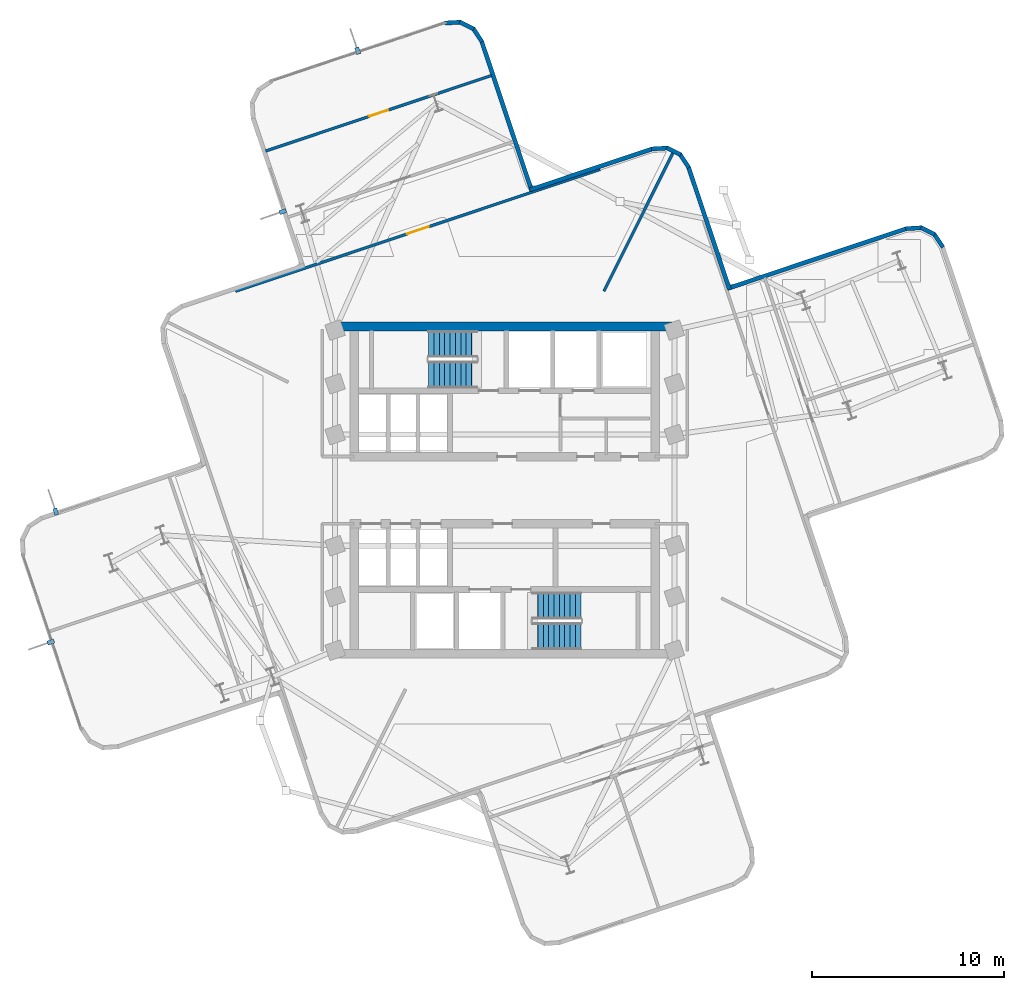
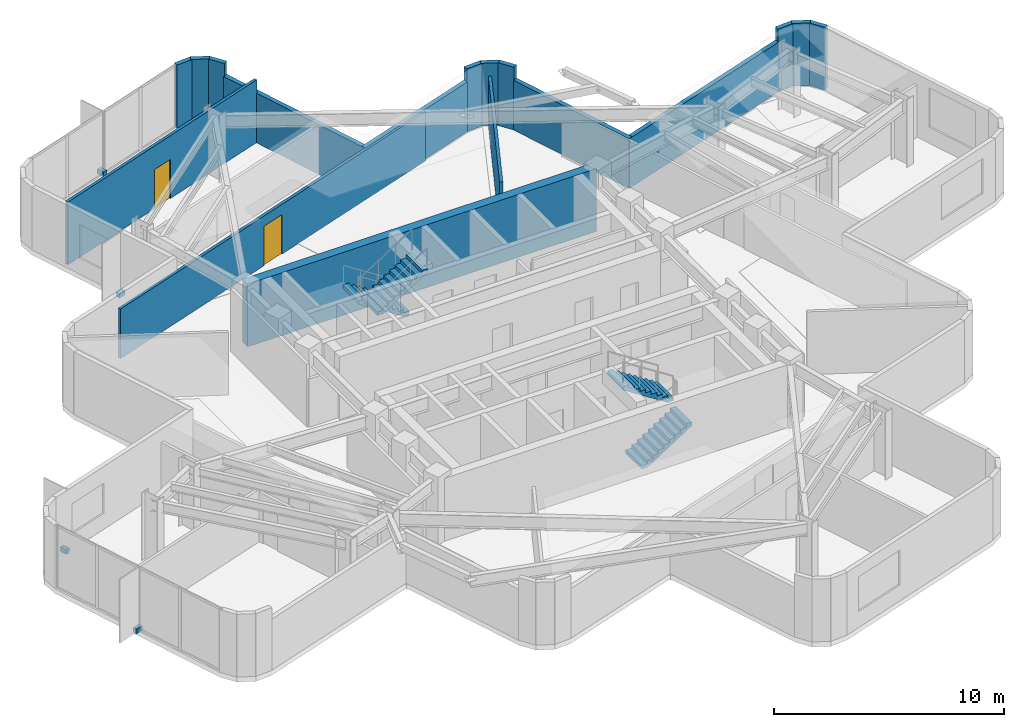
# One storey, part 9 of 12: 17 walls, 4 discrete accessories, 4 stair flights, 2 doors, 2 openings, 2 elements without a shape of their own.
"""IFC4 building model written with IfcOpenShell, lengths in metres."""

from ifc_helpers import new_model, si_unit, direction, frame, frame_2d, origin, origin_2d, place, context, subcontext, project, spatial, polyline, rectangle, outline, extrude, material, layer, layer_set, type_object, element, fill, aggregate, save


model = new_model("IFC4")

# Units and contexts
model_context = context("Model", 3, precision=1e-05, world=origin(), true_north=direction((0.0, 1.0)))
body_context = subcontext(model_context, "Body", "Model", "MODEL_VIEW")
ifc_project = project(units=[si_unit("LENGTHUNIT", "METRE"), si_unit("AREAUNIT", "SQUARE_METRE"), si_unit("VOLUMEUNIT", "CUBIC_METRE"), si_unit("PLANEANGLEUNIT", "RADIAN"), si_unit("MASSUNIT", "GRAM", prefix="KILO")], contexts=[model_context])

# Site, building, storey
site_placement = place(None, origin())
site = spatial("IfcSite", under=ifc_project, at=site_placement, CompositionType="ELEMENT")
building_placement = place(site_placement, origin())
building = spatial("IfcBuilding", under=site, at=building_placement, Name="Solmarez Civic Tower", CompositionType="ELEMENT")
storey_placement = place(building_placement, frame((0.0, 0.0, 163.080078125)))
storey = spatial("IfcBuildingStorey", under=building, at=storey_placement, Name="L43", CompositionType="ELEMENT", Elevation=163.080078125)

# Walls
ifc_material_1 = material(Name="Concrete C50/60", Category="concrete")
ifc_layer_1 = layer(ifc_material_1, 0.449951171875)
ifc_layer_set_1 = layer_set([ifc_layer_1], Name="Concrete C50/60")
wall_type_1 = type_object("IfcWallType", Name="WALL-CORE-450", PredefinedType="SHEAR", material=ifc_layer_set_1)
wall_1_placement = place(storey_placement, frame((-8.780029296875, 8.534912109375, 0.0), z_axis=(0.0, 0.0, 1.0), x_axis=(1.0, 0.0, 0.0)))
element("IfcWall", 1, at=wall_1_placement, inside=storey, type_object=wall_type_1, Name="L43 Split-Core Structural Wall NCW-N-L43", PredefinedType="SHEAR", context=body_context, shape_type="SweptSolid", body=[
    extrude(rectangle(XDim=17.56005859375, YDim=0.449951171875, at=frame_2d((8.780029296875, 0.0))), origin(), (0.0, 0.0, 1.0), 3.33984375),
])
ifc_material_2 = material(Name="Precast concrete C40/50", Category="concrete")
ifc_layer_2 = layer(ifc_material_2, 0.219970703125)
ifc_layer_set_2 = layer_set([ifc_layer_2], Name="Precast concrete C40/50")
wall_type_2 = type_object("IfcWallType", Name="WALL-EXT-220", PredefinedType="SOLIDWALL", material=ifc_layer_set_2)
wall_2_placement = place(storey_placement, frame((-3.131103515625, 24.363037109375, 0.0), z_axis=(0.0, 0.0, 1.0), x_axis=(0.998269325078, 0.05880777677, 0.0)))
element("IfcWall", 2, at=wall_2_placement, inside=storey, type_object=wall_type_2, Name="L43 Exterior Precast Wall 25", PredefinedType="SOLIDWALL", context=body_context, shape_type="SweptSolid", body=[
    extrude(rectangle(XDim=0.83447265625, YDim=0.219970703125, at=frame_2d((0.417236328125, 0.0))), origin(), (0.0, 0.0, 1.0), 3.33984375),
])
wall_3_placement = place(storey_placement, frame((-2.344970703125, 24.422119140625, 0.0), z_axis=(0.0, 0.0, 1.0), x_axis=(0.895022680219, -0.446020629449, 0.0)))
element("IfcWall", 3, at=wall_3_placement, inside=storey, type_object=wall_type_2, Name="L43 Exterior Precast Wall 26", PredefinedType="SOLIDWALL", context=body_context, shape_type="SweptSolid", body=[
    extrude(rectangle(XDim=0.81884765625, YDim=0.219970703125, at=frame_2d((0.409423828125, 0.0))), origin(), (0.0, 0.0, 1.0), 3.33984375),
])
wall_4_placement = place(storey_placement, frame((-1.64794921875, 24.089111328125, 0.0), z_axis=(0.0, 0.0, 1.0), x_axis=(0.551319103184, -0.834294460286, 0.0)))
element("IfcWall", 4, at=wall_4_placement, inside=storey, type_object=wall_type_2, Name="L43 Exterior Precast Wall 27", PredefinedType="SOLIDWALL", context=body_context, shape_type="SweptSolid", body=[
    extrude(rectangle(XDim=0.834228515625, YDim=0.219970703125, at=frame_2d((0.4169921875, 0.0))), origin(), (0.0, 0.0, 1.0), 3.33984375),
])
wall_5_placement = place(storey_placement, frame((-1.2099609375, 23.43798828125, 0.0), z_axis=(0.0, 0.0, 1.0), x_axis=(0.317371670522, -0.948301229963, 0.0)))
element("IfcWall", 5, at=wall_5_placement, inside=storey, type_object=wall_type_2, Name="L43 Exterior Precast Wall 28", PredefinedType="SOLIDWALL", context=body_context, shape_type="SweptSolid", body=[
    extrude(rectangle(XDim=8.258056640625, YDim=0.219970703125, at=frame_2d((4.12890625, 0.0))), origin(), (0.0, 0.0, 1.0), 2.64404296875),
])
wall_6_placement = place(storey_placement, frame((1.300048828125, 15.662109375, 0.0), z_axis=(0.0, 0.0, 1.0), x_axis=(0.948350412494, 0.317224676093, 0.0)))
element("IfcWall", 6, at=wall_6_placement, inside=storey, type_object=wall_type_2, Name="L43 Exterior Precast Wall 31", PredefinedType="SOLIDWALL", context=body_context, shape_type="SweptSolid", body=[
    extrude(rectangle(XDim=6.758056640625, YDim=0.219970703125, at=frame_2d((3.37890625, 0.0))), origin(), (0.0, 0.0, 1.0), 2.64404296875),
])
wall_7_placement = place(storey_placement, frame((7.659912109375, 17.7958984375, 0.0), z_axis=(0.0, 0.0, 1.0), x_axis=(0.998057128569, 0.062305442082, 0.0)))
element("IfcWall", 7, at=wall_7_placement, inside=storey, type_object=wall_type_2, Name="L43 Exterior Precast Wall 32", PredefinedType="SOLIDWALL", context=body_context, shape_type="SweptSolid", body=[
    extrude(rectangle(XDim=0.834716796875, YDim=0.219970703125, at=frame_2d((0.41748046875, 0.0))), origin(), (0.0, 0.0, 1.0), 3.33984375),
])
wall_8_placement = place(storey_placement, frame((8.446044921875, 17.85693359375, 0.0), z_axis=(0.0, 0.0, 1.0), x_axis=(0.894904281631, -0.446258139106, 0.0)))
element("IfcWall", 8, at=wall_8_placement, inside=storey, type_object=wall_type_2, Name="L43 Exterior Precast Wall 33", PredefinedType="SOLIDWALL", context=body_context, shape_type="SweptSolid", body=[
    extrude(rectangle(XDim=0.81787109375, YDim=0.219970703125, at=frame_2d((0.408935546875, 0.0))), origin(), (0.0, 0.0, 1.0), 3.33984375),
])
wall_9_placement = place(storey_placement, frame((9.14208984375, 17.52392578125, 0.0), z_axis=(0.0, 0.0, 1.0), x_axis=(0.552133058206, -0.833756011094, 0.0)))
element("IfcWall", 9, at=wall_9_placement, inside=storey, type_object=wall_type_2, Name="L43 Exterior Precast Wall 34", PredefinedType="SOLIDWALL", context=body_context, shape_type="SweptSolid", body=[
    extrude(rectangle(XDim=0.834716796875, YDim=0.219970703125, at=frame_2d((0.41748046875, 0.0))), origin(), (0.0, 0.0, 1.0), 3.33984375),
])
wall_10_placement = place(storey_placement, frame((9.5810546875, 16.873046875, 0.0), z_axis=(0.0, 0.0, 1.0), x_axis=(0.317387116224, -0.94829606055, 0.0)))
element("IfcWall", 10, at=wall_10_placement, inside=storey, type_object=wall_type_2, Name="L43 Exterior Precast Wall 35", PredefinedType="SOLIDWALL", context=body_context, shape_type="SweptSolid", body=[
    extrude(rectangle(XDim=6.75830078125, YDim=0.219970703125, at=frame_2d((3.379150390625, 0.0))), origin(), (0.0, 0.0, 1.0), 2.64404296875),
])
wall_11_placement = place(storey_placement, frame((11.614990234375, 10.51904296875, 0.0), z_axis=(0.0, 0.0, 1.0), x_axis=(0.948331055834, 0.317282537404, 0.0)))
element("IfcWall", 11, at=wall_11_placement, inside=storey, type_object=wall_type_2, Name="L43 Exterior Precast Wall 38", PredefinedType="SOLIDWALL", context=body_context, shape_type="SweptSolid", body=[
    extrude(rectangle(XDim=9.8583984375, YDim=0.219970703125, at=frame_2d((4.92919921875, 0.0))), origin(), (0.0, 0.0, 1.0), 2.64404296875),
])
wall_12_placement = place(storey_placement, frame((20.9150390625, 13.636962890625, 0.0), z_axis=(0.0, 0.0, 1.0), x_axis=(0.998057128569, 0.062305442082, 0.0)))
element("IfcWall", 12, at=wall_12_placement, inside=storey, type_object=wall_type_2, Name="L43 Exterior Precast Wall 39", PredefinedType="SOLIDWALL", context=body_context, shape_type="SweptSolid", body=[
    extrude(rectangle(XDim=0.834716796875, YDim=0.219970703125, at=frame_2d((0.41748046875, 0.0))), origin(), (0.0, 0.0, 1.0), 3.33984375),
])
wall_13_placement = place(storey_placement, frame((21.700927734375, 13.697998046875, 0.0), z_axis=(0.0, 0.0, 1.0), x_axis=(0.894963703084, -0.446138958356, 0.0)))
element("IfcWall", 13, at=wall_13_placement, inside=storey, type_object=wall_type_2, Name="L43 Exterior Precast Wall 40", PredefinedType="SOLIDWALL", context=body_context, shape_type="SweptSolid", body=[
    extrude(rectangle(XDim=0.818115234375, YDim=0.219970703125, at=frame_2d((0.4091796875, 0.0))), origin(), (0.0, 0.0, 1.0), 3.33984375),
])
wall_14_placement = place(storey_placement, frame((22.39697265625, 13.364990234375, 0.0), z_axis=(0.0, 0.0, 1.0), x_axis=(0.552133058206, -0.833756011094, 0.0)))
element("IfcWall", 14, at=wall_14_placement, inside=storey, type_object=wall_type_2, Name="L43 Exterior Precast Wall 41", PredefinedType="SOLIDWALL", context=body_context, shape_type="SweptSolid", body=[
    extrude(rectangle(XDim=0.834716796875, YDim=0.219970703125, at=frame_2d((0.41748046875, 0.0))), origin(), (0.0, 0.0, 1.0), 3.33984375),
])
ifc_material_3 = material(Name="Gypsum Board Acoustic Steel-Stud Partition", Category="steel")
ifc_layer_3 = layer(ifc_material_3, 0.14501953125)
ifc_layer_set_3 = layer_set([ifc_layer_3], Name="Gypsum Board Acoustic Steel-Stud Partition")
wall_type_3 = type_object("IfcWallType", Name="WALL-INT-PART-150", PredefinedType="PARTITIONING", material=ifc_layer_set_3)
wall_15_placement = place(storey_placement, frame((5.176025390625, 10.3798828125, 0.0), z_axis=(0.0, 0.0, 1.0), x_axis=(0.446173290391, 0.894946587759, 0.0)))
element("IfcWall", 15, at=wall_15_placement, inside=storey, type_object=wall_type_3, Name="L43 Interior Partition PT-L43-QDIV-1", PredefinedType="PARTITIONING", context=body_context, shape_type="SweptSolid", body=[
    extrude(rectangle(XDim=8.075439453125, YDim=0.14501953125, at=frame_2d((4.03759765625, 0.0))), origin(), (0.0, 0.0, 1.0), 2.64404296875),
])

# Wall, opening, door
wall_16_placement = place(storey_placement, frame((-14.037109375, 10.3720703125, 0.0), z_axis=(0.0, 0.0, 1.0), x_axis=(0.94832575435, 0.317298382655, 0.0)))
wall_16 = element("IfcWall", 16, at=wall_16_placement, inside=storey, type_object=wall_type_3, Name="L43 Interior Partition PT-L43-N-ENT", PredefinedType="PARTITIONING", context=body_context, shape_type="SweptSolid", body=[
    extrude(rectangle(XDim=20.040771484375, YDim=0.14501953125, at=frame_2d((10.0205078125, 0.0))), origin(), (0.0, 0.0, 1.0), 2.64404296875),
])
opening_1_placement = place(wall_16_placement, frame((9.419921875, 0.0, 0.0)))
opening_1 = element("IfcOpeningElement", 17, at=opening_1_placement, cuts=wall_16, Name="Opening D-11", PredefinedType="OPENING", context=body_context, shape_type="SweptSolid", body=[
    extrude(rectangle(XDim=1.199951171875, YDim=2.10009765625, at=frame_2d((0.60009765625, 1.050048828125))), frame((0.0, 0.08251953125, 0.0), z_axis=(0.0, -1.0, 0.0), x_axis=(1.0, 0.0, 0.0)), (0.0, 0.0, 1.0), 0.1650390625),
])
ifc_material_4 = material(Name="Glazed-Vision Acoustic Chamber Door", Category="wood")
door_type_1 = type_object("IfcDoorType", Name="DOOR-INT-1200", OperationType="NOTDEFINED", PredefinedType="DOOR", material=ifc_material_4)
door_1_placement = place(opening_1_placement, origin())
door_1 = element("IfcDoor", 18, at=door_1_placement, inside=storey, type_object=door_type_1, Name="L43 Delegation Concierge Room First North Door", OperationType="SINGLE_SWING_LEFT", OverallHeight=2.10009765625, OverallWidth=1.199951171875, PredefinedType="DOOR", context=body_context, shape_type="SweptSolid", body=[
    extrude(rectangle(XDim=1.199951171875, YDim=2.10009765625, at=frame_2d((0.60009765625, 1.050048828125))), frame((0.0, 0.02490234375, 0.0), z_axis=(0.0, -1.0, 0.0), x_axis=(1.0, 0.0, 0.0)), (0.0, 0.0, 1.0), 0.050048828125),
])
fill(opening_1, door_1)

wall_17_placement = place(storey_placement, frame((-12.471923828125, 17.68701171875, 0.0), z_axis=(0.0, 0.0, 1.0), x_axis=(0.948325226172, 0.317299961245, 0.0)))
wall_17 = element("IfcWall", 19, at=wall_17_placement, inside=storey, type_object=wall_type_3, Name="L43 Interior Partition PT-L43-N-SC2", PredefinedType="PARTITIONING", context=body_context, shape_type="SweptSolid", body=[
    extrude(rectangle(XDim=12.43017578125, YDim=0.14501953125, at=frame_2d((6.215087890625, 0.0))), origin(), (0.0, 0.0, 1.0), 3.33984375),
])
opening_2_placement = place(wall_17_placement, frame((5.68994140625, 0.0, 0.0)))
opening_2 = element("IfcOpeningElement", 20, at=opening_2_placement, cuts=wall_17, Name="Opening D-13", PredefinedType="OPENING", context=body_context, shape_type="SweptSolid", body=[
    extrude(rectangle(XDim=1.050048828125, YDim=2.080078125, at=frame_2d((0.52490234375, 1.0400390625))), frame((0.0, 0.08251953125, 0.0), z_axis=(0.0, -1.0, 0.0), x_axis=(1.0, 0.0, 0.0)), (0.0, 0.0, 1.0), 0.1650390625),
])
ifc_material_5 = material(Name="Timber Directorate Office Door", Category="wood")
door_type_2 = type_object("IfcDoorType", Name="DOOR-INT-1050", OperationType="NOTDEFINED", PredefinedType="DOOR", material=ifc_material_5)
door_2_placement = place(opening_2_placement, origin())
door_2 = element("IfcDoor", 21, at=door_2_placement, inside=storey, type_object=door_type_2, Name="L43 Public Reception Room North Door", OperationType="SINGLE_SWING_RIGHT", OverallHeight=2.080078125, OverallWidth=1.050048828125, PredefinedType="DOOR", context=body_context, shape_type="SweptSolid", body=[
    extrude(rectangle(XDim=1.050048828125, YDim=2.080078125, at=frame_2d((0.52490234375, 1.0400390625))), frame((0.0, 0.02490234375, 0.0), z_axis=(0.0, -1.0, 0.0), x_axis=(1.0, 0.0, 0.0)), (0.0, 0.0, 1.0), 0.050048828125),
])
fill(opening_2, door_2)

# Stair, stair flights
stair_type = type_object("IfcStairType", Name="STAIR-DOGLEG-140W-20R-1800", PredefinedType="HALF_TURN_STAIR", material=ifc_material_1)
stair_1_placement = place(storey_placement, origin())
stair_1 = element("IfcStair", 22, at=stair_1_placement, inside=storey, type_object=stair_type, Name="L43 North Core Protected Exit Stair ST-1", PredefinedType="HALF_TURN_STAIR")
stair_flight_type = type_object("IfcStairFlightType", Name="FLIGHT-DOGLEG-140W-10R-1800", PredefinedType="STRAIGHT", material=ifc_material_1)
stair_flight_1_placement = place(storey_placement, frame((-1.449951171875, 7.6201171875, 0.0), z_axis=(0.0, 0.0, 1.0), x_axis=(-1.0, 0.0, 0.0)))
stair_flight_1 = element("IfcStairFlight", 23, at=stair_flight_1_placement, type_object=stair_flight_type, Name="ST-1 flight 1", NumberOfRisers=10, NumberOfTreads=9, PredefinedType="STRAIGHT", RiserHeight=0.18, TreadLength=0.28, context=body_context, shape_type="SweptSolid", body=[
    extrude(outline(polyline([(0.0, 0.0), (0.0, 0.179931640625), (0.280029296875, 0.179931640625), (0.280029296875, 0.360107421875), (0.56005859375, 0.360107421875), (0.56005859375, 0.5400390625), (0.840087890625, 0.5400390625), (0.840087890625, 0.719970703125), (1.1201171875, 0.719970703125), (1.1201171875, 0.89990234375), (1.39990234375, 0.89990234375), (1.39990234375, 1.080078125), (1.679931640625, 1.080078125), (1.679931640625, 1.260009765625), (1.9599609375, 1.260009765625), (1.9599609375, 1.43994140625), (2.239990234375, 1.43994140625), (2.239990234375, 1.6201171875), (2.52001953125, 1.6201171875), (2.52001953125, 1.800048828125), (2.52001953125, 1.429931640625), (0.295654296875, 0.0), (0.0, 0.0)])), frame((0.0, 0.699951171875, 0.0), z_axis=(0.0, -1.0, 0.0), x_axis=(1.0, 0.0, 0.0)), (0.0, 0.0, 1.0), 1.39990234375),
])
stair_flight_2_placement = place(storey_placement, frame((-3.969970703125, 6.02001953125, 1.7998046875), z_axis=(0.0, 0.0, 1.0), x_axis=(1.0, 0.0, 0.0)))
stair_flight_2 = element("IfcStairFlight", 24, at=stair_flight_2_placement, type_object=stair_flight_type, Name="ST-1 flight 2", NumberOfRisers=10, NumberOfTreads=9, PredefinedType="STRAIGHT", RiserHeight=0.18, TreadLength=0.28, context=body_context, shape_type="SweptSolid", body=[
    extrude(outline(polyline([(0.0, 0.0), (0.0, 0.179931640625), (0.280029296875, 0.179931640625), (0.280029296875, 0.360107421875), (0.56005859375, 0.360107421875), (0.56005859375, 0.5400390625), (0.840087890625, 0.5400390625), (0.840087890625, 0.719970703125), (1.1201171875, 0.719970703125), (1.1201171875, 0.89990234375), (1.39990234375, 0.89990234375), (1.39990234375, 1.080078125), (1.679931640625, 1.080078125), (1.679931640625, 1.260009765625), (1.9599609375, 1.260009765625), (1.9599609375, 1.43994140625), (2.239990234375, 1.43994140625), (2.239990234375, 1.6201171875), (2.52001953125, 1.6201171875), (2.52001953125, 1.800048828125), (2.52001953125, 1.429931640625), (0.295654296875, 0.0), (0.0, 0.0)])), frame((0.0, 0.699951171875, 0.0), z_axis=(0.0, -1.0, 0.0), x_axis=(1.0, 0.0, 0.0)), (0.0, 0.0, 1.0), 1.39990234375),
])
aggregate(stair_1, [stair_flight_1, stair_flight_2])

stair_2_placement = place(storey_placement, origin())
stair_2 = element("IfcStair", 25, at=stair_2_placement, inside=storey, type_object=stair_type, Name="L43 South Core Protected Exit Stair ST-2", PredefinedType="HALF_TURN_STAIR")
stair_flight_3_placement = place(storey_placement, frame((1.449951171875, -7.6201171875, 0.0), z_axis=(0.0, 0.0, 1.0), x_axis=(1.0, 0.0, 0.0)))
stair_flight_3 = element("IfcStairFlight", 26, at=stair_flight_3_placement, type_object=stair_flight_type, Name="ST-2 flight 1", NumberOfRisers=10, NumberOfTreads=9, PredefinedType="STRAIGHT", RiserHeight=0.18, TreadLength=0.28, context=body_context, shape_type="SweptSolid", body=[
    extrude(outline(polyline([(0.0, 0.0), (0.0, 0.179931640625), (0.280029296875, 0.179931640625), (0.280029296875, 0.360107421875), (0.56005859375, 0.360107421875), (0.56005859375, 0.5400390625), (0.840087890625, 0.5400390625), (0.840087890625, 0.719970703125), (1.1201171875, 0.719970703125), (1.1201171875, 0.89990234375), (1.39990234375, 0.89990234375), (1.39990234375, 1.080078125), (1.679931640625, 1.080078125), (1.679931640625, 1.260009765625), (1.9599609375, 1.260009765625), (1.9599609375, 1.43994140625), (2.239990234375, 1.43994140625), (2.239990234375, 1.6201171875), (2.52001953125, 1.6201171875), (2.52001953125, 1.800048828125), (2.52001953125, 1.429931640625), (0.295654296875, 0.0), (0.0, 0.0)])), frame((0.0, 0.699951171875, 0.0), z_axis=(0.0, -1.0, 0.0), x_axis=(1.0, 0.0, 0.0)), (0.0, 0.0, 1.0), 1.39990234375),
])
stair_flight_4_placement = place(storey_placement, frame((3.969970703125, -6.02001953125, 1.7998046875), z_axis=(0.0, 0.0, 1.0), x_axis=(-1.0, 0.0, 0.0)))
stair_flight_4 = element("IfcStairFlight", 27, at=stair_flight_4_placement, type_object=stair_flight_type, Name="ST-2 flight 2", NumberOfRisers=10, NumberOfTreads=9, PredefinedType="STRAIGHT", RiserHeight=0.18, TreadLength=0.28, context=body_context, shape_type="SweptSolid", body=[
    extrude(outline(polyline([(0.0, 0.0), (0.0, 0.179931640625), (0.280029296875, 0.179931640625), (0.280029296875, 0.360107421875), (0.56005859375, 0.360107421875), (0.56005859375, 0.5400390625), (0.840087890625, 0.5400390625), (0.840087890625, 0.719970703125), (1.1201171875, 0.719970703125), (1.1201171875, 0.89990234375), (1.39990234375, 0.89990234375), (1.39990234375, 1.080078125), (1.679931640625, 1.080078125), (1.679931640625, 1.260009765625), (1.9599609375, 1.260009765625), (1.9599609375, 1.43994140625), (2.239990234375, 1.43994140625), (2.239990234375, 1.6201171875), (2.52001953125, 1.6201171875), (2.52001953125, 1.800048828125), (2.52001953125, 1.429931640625), (0.295654296875, 0.0), (0.0, 0.0)])), frame((0.0, 0.699951171875, 0.0), z_axis=(0.0, -1.0, 0.0), x_axis=(1.0, 0.0, 0.0)), (0.0, 0.0, 1.0), 1.39990234375),
])
aggregate(stair_2, [stair_flight_3, stair_flight_4])

# Discrete accessories
ifc_material_6 = material(Name="Stainless Steel Grade 1.4401", Category="steel")
discrete_accessory_type = type_object("IfcDiscreteAccessoryType", Name="BRACKET-SS-FIN", PredefinedType="BRACKET", material=ifc_material_6)
for number, where, z_axis, x_axis, name in (
    (28, (-23.678955078125, -7.923095703125, -0.06005859375), (0.0, 0.0, 1.0), (-0.948327481565, -0.317293220395, 0.0), "L43 Stainless Fin Support Bracket FIN-L43-01"),
    (29, (-23.416015625, -1.116943359375, -0.06005859375), (0.0, 0.0, 1.0), (-0.317267246801, 0.948336171464, 0.0), "L43 Stainless Fin Support Bracket FIN-L43-02"),
    (30, (-11.577880859375, 14.530029296875, -0.06005859375), (0.0, 0.0, 1.0), (-0.948351314311, -0.317221980079, 0.0), "L43 Stainless Fin Support Bracket FIN-L43-03"),
    (31, (-7.6689453125, 22.9208984375, -0.06005859375), (0.0, 0.0, 1.0), (-0.317324659907, 0.948316961894, 0.0), "L43 Stainless Fin Support Bracket FIN-L43-04"),
):
    element("IfcDiscreteAccessory", number, at=place(storey_placement, frame(where, z_axis=z_axis, x_axis=x_axis)), inside=storey, type_object=discrete_accessory_type, Name=name, PredefinedType="BRACKET", context=body_context, shape_type="SweptSolid", body=[
        extrude(rectangle(XDim=0.360107421875, YDim=0.219970703125, at=origin_2d()), origin(), (0.0, 0.0, 1.0), 0.239990234375),
    ])

save(model, "model.ifc")
